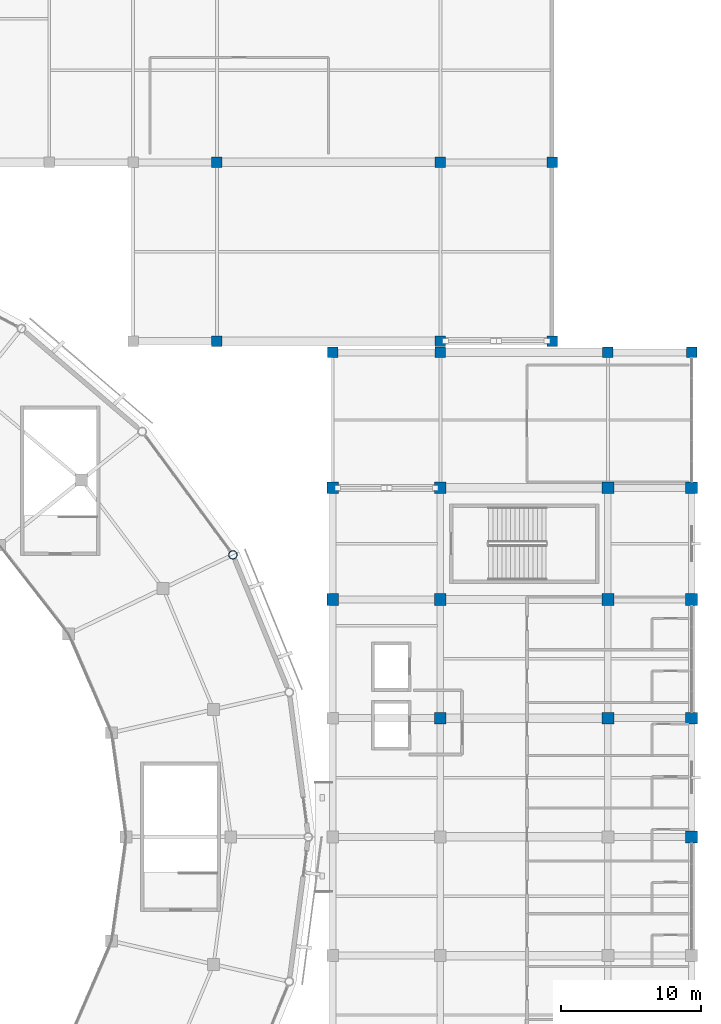
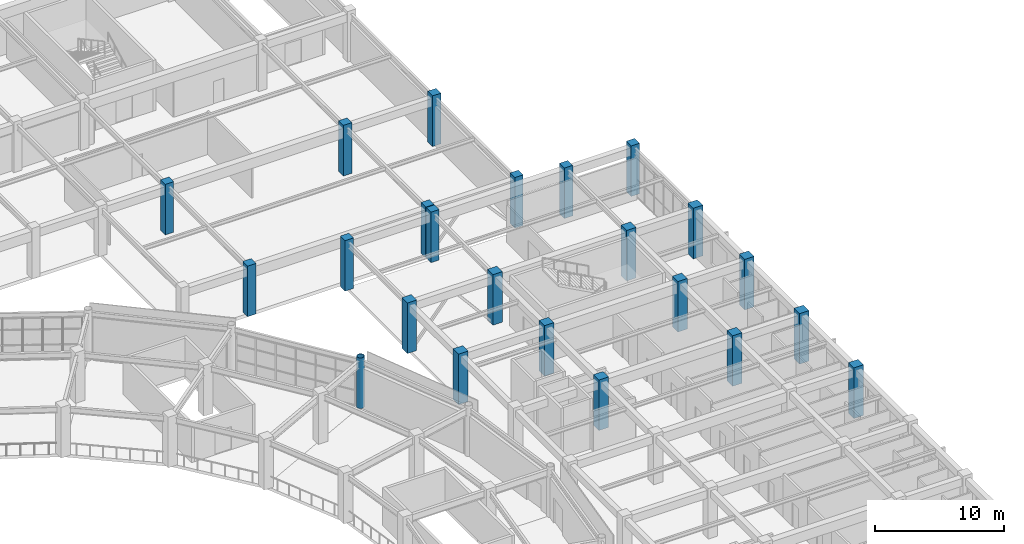
# One storey, part 12 of 112: 23 columns.
"""IFC4 building model written with IfcOpenShell, lengths in metres."""

from ifc_helpers import new_model, si_unit, direction, frame, origin, origin_2d, place, context, subcontext, project, spatial, rectangle, hollow_circle, extrude, material, material_profile, profile_set, type_object, element, save


model = new_model("IFC4")

# Units and contexts
model_context = context("Model", 3, precision=1e-05, world=origin(), true_north=direction((0.0, 1.0)))
body_context = subcontext(model_context, "Body", "Model", "MODEL_VIEW")
ifc_project = project(units=[si_unit("LENGTHUNIT", "METRE"), si_unit("AREAUNIT", "SQUARE_METRE"), si_unit("VOLUMEUNIT", "CUBIC_METRE"), si_unit("PLANEANGLEUNIT", "RADIAN"), si_unit("MASSUNIT", "GRAM", prefix="KILO")], contexts=[model_context])

# Site, building, storey
site_placement = place(None, origin())
site = spatial("IfcSite", under=ifc_project, at=site_placement, CompositionType="ELEMENT")
building_placement = place(site_placement, origin())
building = spatial("IfcBuilding", under=site, at=building_placement, Name="Cuetzalor Civic Arena", CompositionType="ELEMENT")
storey_placement = place(building_placement, frame((0.0, 0.0, 11.39990234375)))
storey = spatial("IfcBuildingStorey", under=building, at=storey_placement, Name="L02", CompositionType="ELEMENT", Elevation=11.39990234375)

# Columns
ifc_material_1 = material(Name="Concrete C40/50", Category="concrete")
ifc_material_profile_1 = material_profile(ifc_material_1, rectangle(XDim=0.75, YDim=0.75, at=origin_2d()), Name="RC 750x750")
ifc_profile_set_1 = profile_set([ifc_material_profile_1], Name="Concrete C40/50")
column_type_1 = type_object("IfcColumnType", Name="ConcreteColumn_750", PredefinedType="COLUMN", material=ifc_profile_set_1)
for number, where, z_axis, x_axis, name in (
    (1, (56.300048828125, 34.699951171875, 0.0), (0.0, 0.0, 1.0), (1.0, 0.0, 0.0), "Column V4E-C-01-11 L02"),
    (2, (64.0, 34.699951171875, 0.0), (0.0, 0.0, 1.0), (1.0, 0.0, 0.0), "Column V4E-C-02-11 L02"),
    (3, (76.0, 34.699951171875, 0.0), (0.0, 0.0, 1.0), (1.0, 0.0, 0.0), "Column V4E-C-03-11 L02"),
    (4, (82.0, 34.699951171875, 0.0), (0.0, 0.0, 1.0), (1.0, 0.0, 0.0), "Column V4E-C-04-11 L02"),
    (5, (48.0, 35.5, 0.0), (0.0, 0.0, 1.0), (1.0, 0.0, 0.0), "Column V5-C-13-01 L02"),
    (6, (48.0, 48.300048828125, 0.0), (0.0, 0.0, 1.0), (1.0, 0.0, 0.0), "Column V5-C-13-02 L02"),
    (7, (64.0, 35.5, 0.0), (0.0, 0.0, 1.0), (1.0, 0.0, 0.0), "Column V5-C-14-01 L02"),
    (8, (64.0, 48.300048828125, 0.0), (0.0, 0.0, 1.0), (1.0, 0.0, 0.0), "Column V5-C-14-02 L02"),
    (9, (72.0, 35.5, 0.0), (0.0, 0.0, 1.0), (1.0, 0.0, 0.0), "Column V5-C-15-01 L02"),
    (10, (72.0, 48.300048828125, 0.0), (0.0, 0.0, 1.0), (1.0, 0.0, 0.0), "Column V5-C-15-02 L02"),
):
    element("IfcColumn", number, at=place(storey_placement, frame(where, z_axis=z_axis, x_axis=x_axis)), inside=storey, type_object=column_type_1, Name=name, PredefinedType="COLUMN", context=body_context, shape_type="SweptSolid", body=[
        extrude(rectangle(XDim=0.75, YDim=0.75, at=origin_2d()), origin(), (0.0, 0.0, 1.0), 4.800048828125),
    ])
ifc_material_2 = material(Name="Concrete C40/50", Category="concrete")
ifc_material_profile_2 = material_profile(ifc_material_2, rectangle(XDim=0.85009765625, YDim=0.85009765625, at=origin_2d()), Name="RC 850x850")
ifc_profile_set_2 = profile_set([ifc_material_profile_2], Name="Concrete C40/50")
column_type_2 = type_object("IfcColumnType", Name="ConcreteColumn_850", PredefinedType="COLUMN", material=ifc_profile_set_2)
for number, where, z_axis, x_axis, name in (
    (11, (56.300048828125, 17.0, 0.0), (0.0, 0.0, 1.0), (1.0, 0.0, 0.0), "Column V4E-C-01-09 L02"),
    (12, (56.300048828125, 25.0, 0.0), (0.0, 0.0, 1.0), (1.0, 0.0, 0.0), "Column V4E-C-01-10 L02"),
    (13, (64.0, 8.5, 0.0), (0.0, 0.0, 1.0), (1.0, 0.0, 0.0), "Column V4E-C-02-08 L02"),
    (14, (64.0, 17.0, 0.0), (0.0, 0.0, 1.0), (1.0, 0.0, 0.0), "Column V4E-C-02-09 L02"),
    (15, (64.0, 25.0, 0.0), (0.0, 0.0, 1.0), (1.0, 0.0, 0.0), "Column V4E-C-02-10 L02"),
    (16, (76.0, 8.5, 0.0), (0.0, 0.0, 1.0), (1.0, 0.0, 0.0), "Column V4E-C-03-08 L02"),
    (17, (76.0, 17.0, 0.0), (0.0, 0.0, 1.0), (1.0, 0.0, 0.0), "Column V4E-C-03-09 L02"),
    (18, (76.0, 25.0, 0.0), (0.0, 0.0, 1.0), (1.0, 0.0, 0.0), "Column V4E-C-03-10 L02"),
    (19, (82.0, 0.0, 0.0), (0.0, 0.0, 1.0), (1.0, 0.0, 0.0), "Column V4E-C-04-07 L02"),
    (20, (82.0, 8.5, 0.0), (0.0, 0.0, 1.0), (1.0, 0.0, 0.0), "Column V4E-C-04-08 L02"),
    (21, (82.0, 17.0, 0.0), (0.0, 0.0, 1.0), (1.0, 0.0, 0.0), "Column V4E-C-04-09 L02"),
    (22, (82.0, 25.0, 0.0), (0.0, 0.0, 1.0), (1.0, 0.0, 0.0), "Column V4E-C-04-10 L02"),
):
    element("IfcColumn", number, at=place(storey_placement, frame(where, z_axis=z_axis, x_axis=x_axis)), inside=storey, type_object=column_type_2, Name=name, PredefinedType="COLUMN", context=body_context, shape_type="SweptSolid", body=[
        extrude(rectangle(XDim=0.85009765625, YDim=0.85009765625, at=origin_2d()), origin(), (0.0, 0.0, 1.0), 4.800048828125),
    ])
ifc_material_3 = material(Name="Steel S355", Category="steel")
ifc_material_profile_3 = material_profile(ifc_material_3, hollow_circle(Radius=0.304931640625, WallThickness=0.02490234375, at=origin_2d()), Name="CHS 610x25")
ifc_profile_set_3 = profile_set([ifc_material_profile_3], Name="Steel S355")
column_type_3 = type_object("IfcColumnType", Name="SteelDomePylon_CHS610", PredefinedType="COLUMN", material=ifc_profile_set_3)
column_placement = place(storey_placement, frame((49.14794921875, 20.197265625, 0.0), z_axis=(0.0, 0.0, 1.0), x_axis=(1.0, 0.0, 0.0)))
element("IfcColumn", 23, at=column_placement, inside=storey, type_object=column_type_3, Name="Column V1-PYL-03 L02", PredefinedType="COLUMN", context=body_context, shape_type="SweptSolid", body=[
    extrude(hollow_circle(Radius=0.304931640625, WallThickness=0.02490234375, at=origin_2d()), origin(), (0.0, 0.0, 1.0), 4.800048828125),
])

save(model, "model.ifc")
